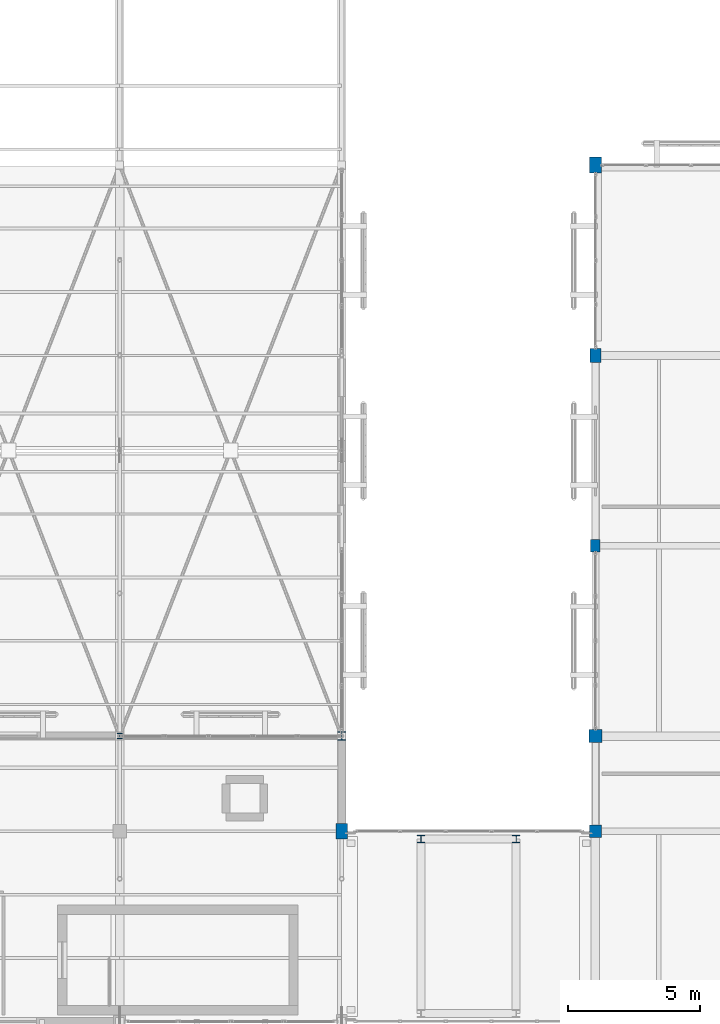
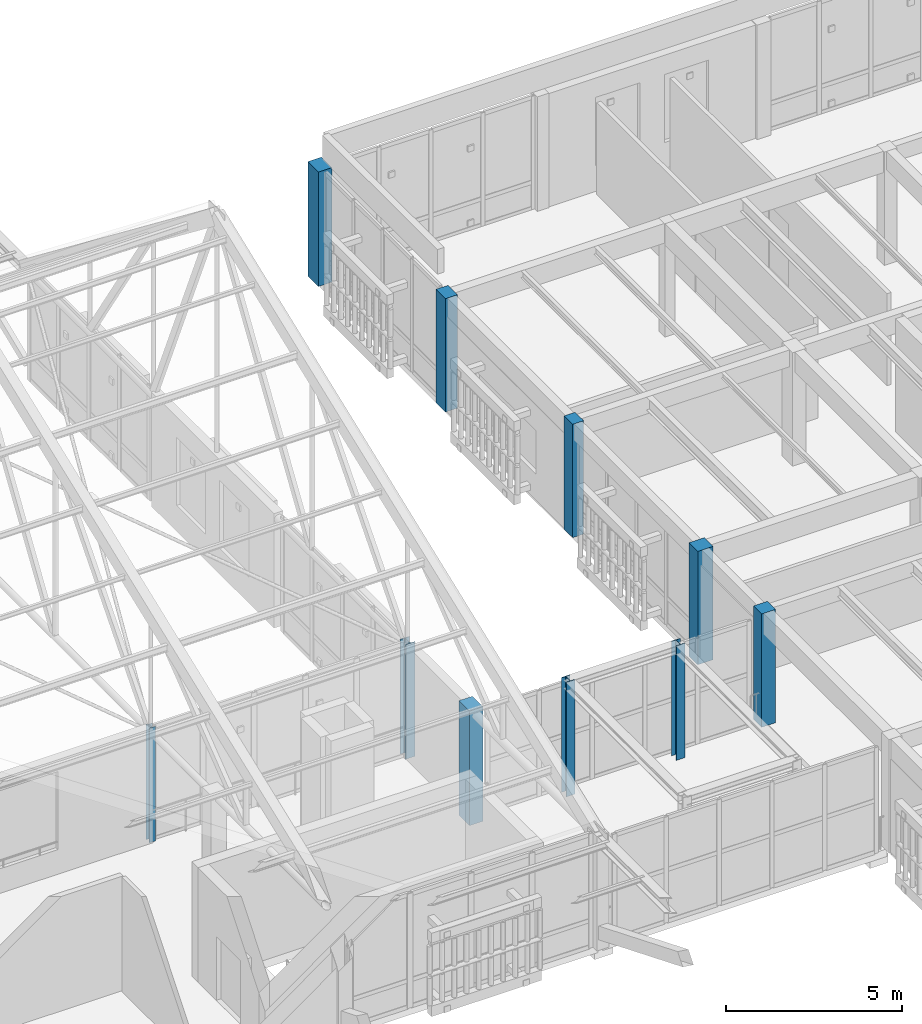
# One storey, part 13 of 217: 10 columns.
"""IFC4 building model written with IfcOpenShell, lengths in metres."""

from ifc_helpers import new_model, si_unit, direction, frame, origin, origin_2d, place, context, subcontext, project, spatial, rectangle, i_section, extrude, material, material_profile, profile_set, type_object, element, save


model = new_model("IFC4")

# Units and contexts
model_context = context("Model", 3, precision=1e-05, world=origin(), true_north=direction((0.0, 1.0)))
body_context = subcontext(model_context, "Body", "Model", "MODEL_VIEW")
ifc_project = project(units=[si_unit("LENGTHUNIT", "METRE"), si_unit("AREAUNIT", "SQUARE_METRE"), si_unit("VOLUMEUNIT", "CUBIC_METRE"), si_unit("PLANEANGLEUNIT", "RADIAN"), si_unit("MASSUNIT", "GRAM", prefix="KILO")], contexts=[model_context])

# Site, building, storey
site_placement = place(None, origin())
site = spatial("IfcSite", under=ifc_project, at=site_placement, CompositionType="ELEMENT")
building_placement = place(site_placement, origin())
building = spatial("IfcBuilding", under=site, at=building_placement, Name="Mazaris Harbour Polytechnic", CompositionType="ELEMENT")
storey_placement = place(building_placement, frame((0.0, 0.0, 9.60009765625)))
storey = spatial("IfcBuildingStorey", under=building, at=storey_placement, Name="L02", CompositionType="ELEMENT", Elevation=9.60009765625)

# Columns
ifc_material_1 = material(Name="Glulam GL28h", Category="wood")
ifc_material_profile_1 = material_profile(ifc_material_1, rectangle(XDim=0.360107421875, YDim=0.47998046875, at=origin_2d()), Name="RECT360x480")
ifc_profile_set_1 = profile_set([ifc_material_profile_1], Name="Glulam GL28h")
column_type_1 = type_object("IfcColumnType", Name="Glulam Column 360x480 Exterior", PredefinedType="COLUMN", material=ifc_profile_set_1)
column_1_placement = place(storey_placement, frame((122.39990234375, 93.60009765625, 0.0), z_axis=(0.0, 0.0, 1.0), x_axis=(1.0, 0.0, 0.0)))
element("IfcColumn", 1, at=column_1_placement, inside=storey, type_object=column_type_1, Name="V5 L02 Column 1333", PredefinedType="COLUMN", context=body_context, shape_type="SweptSolid", body=[
    extrude(rectangle(XDim=0.360107421875, YDim=0.47998046875, at=origin_2d()), origin(), (0.0, 0.0, 1.0), 3.919921875),
])
ifc_material_2 = material(Name="Glulam GL28h", Category="wood")
ifc_material_profile_2 = material_profile(ifc_material_2, rectangle(XDim=0.39990234375, YDim=0.5400390625, at=origin_2d()), Name="RECT400x540")
ifc_profile_set_2 = profile_set([ifc_material_profile_2], Name="Glulam GL28h")
column_type_2 = type_object("IfcColumnType", Name="Glulam Column 400x540 Exterior", PredefinedType="COLUMN", material=ifc_profile_set_2)
column_2_placement = place(storey_placement, frame((122.39990234375, 100.800048828125, 0.0), z_axis=(0.0, 0.0, 1.0), x_axis=(1.0, 0.0, 0.0)))
element("IfcColumn", 2, at=column_2_placement, inside=storey, type_object=column_type_2, Name="V5 L02 Column 1334", PredefinedType="COLUMN", context=body_context, shape_type="SweptSolid", body=[
    extrude(rectangle(XDim=0.39990234375, YDim=0.5400390625, at=origin_2d()), origin(), (0.0, 0.0, 1.0), 3.919921875),
])
ifc_material_3 = material(Name="Glulam GL28h", Category="wood")
ifc_material_profile_3 = material_profile(ifc_material_3, rectangle(XDim=0.43994140625, YDim=0.60009765625, at=origin_2d()), Name="RECT440x600")
ifc_profile_set_3 = profile_set([ifc_material_profile_3], Name="Glulam GL28h")
column_type_3 = type_object("IfcColumnType", Name="Glulam Column 440x600 Exterior", PredefinedType="COLUMN", material=ifc_profile_set_3)
for number, where, z_axis, x_axis, name in (
    (3, (112.800048828125, 82.800048828125, 0.0), (0.0, 0.0, 1.0), (1.0, 0.0, 0.0), "V1 L02 Column 175"),
    (4, (122.39990234375, 108.0, 0.0), (0.0, 0.0, 1.0), (1.0, 0.0, 0.0), "V5 L02 Column 1335"),
):
    element("IfcColumn", number, at=place(storey_placement, frame(where, z_axis=z_axis, x_axis=x_axis)), inside=storey, type_object=column_type_3, Name=name, PredefinedType="COLUMN", context=body_context, shape_type="SweptSolid", body=[
        extrude(rectangle(XDim=0.43994140625, YDim=0.60009765625, at=origin_2d()), origin(), (0.0, 0.0, 1.0), 3.9599609375),
    ])
ifc_material_4 = material(Name="Glulam GL28h", Category="wood")
ifc_material_profile_4 = material_profile(ifc_material_4, rectangle(XDim=0.4599609375, YDim=0.4599609375, at=origin_2d()), Name="RECT460x460")
ifc_profile_set_4 = profile_set([ifc_material_profile_4], Name="Glulam GL28h")
column_type_4 = type_object("IfcColumnType", Name="Glulam Column 460x460 Exterior", PredefinedType="COLUMN", material=ifc_profile_set_4)
column_3_placement = place(storey_placement, frame((122.39990234375, 82.800048828125, 0.0), z_axis=(0.0, 0.0, 1.0), x_axis=(1.0, 0.0, 0.0)))
element("IfcColumn", 5, at=column_3_placement, inside=storey, type_object=column_type_4, Name="V5 L02 Column 1331", PredefinedType="COLUMN", context=body_context, shape_type="SweptSolid", body=[
    extrude(rectangle(XDim=0.4599609375, YDim=0.4599609375, at=origin_2d()), origin(), (0.0, 0.0, 1.0), 3.919921875),
])
ifc_material_5 = material(Name="Glulam GL28h", Category="wood")
ifc_material_profile_5 = material_profile(ifc_material_5, rectangle(XDim=0.5, YDim=0.5, at=origin_2d()), Name="RECT500x500")
ifc_profile_set_5 = profile_set([ifc_material_profile_5], Name="Glulam GL28h")
column_type_5 = type_object("IfcColumnType", Name="Glulam Column 500x500 Exterior", PredefinedType="COLUMN", material=ifc_profile_set_5)
column_4_placement = place(storey_placement, frame((122.39990234375, 86.39990234375, 0.0), z_axis=(0.0, 0.0, 1.0), x_axis=(1.0, 0.0, 0.0)))
element("IfcColumn", 6, at=column_4_placement, inside=storey, type_object=column_type_5, Name="V5 L02 Column 1332", PredefinedType="COLUMN", context=body_context, shape_type="SweptSolid", body=[
    extrude(rectangle(XDim=0.5, YDim=0.5, at=origin_2d()), origin(), (0.0, 0.0, 1.0), 3.919921875),
])
ifc_material_6 = material(Name="Steel S355", Category="steel")
ifc_material_profile_6 = material_profile(ifc_material_6, i_section(OverallWidth=0.199951171875, OverallDepth=0.199951171875, WebThickness=0.009033203125, FlangeThickness=0.014892578125, FilletRadius=0.01806640625, at=origin_2d()), Name="HEB 200")
ifc_profile_set_6 = profile_set([ifc_material_profile_6], Name="Steel S355")
column_type_6 = type_object("IfcColumnType", Name="Steel Column HEB200 Exterior", PredefinedType="COLUMN", material=ifc_profile_set_6)
column_5_placement = place(storey_placement, frame((104.39990234375, 86.39990234375, 0.0), z_axis=(0.0, 0.0, 1.0), x_axis=(1.0, 0.0, 0.0)))
element("IfcColumn", 7, at=column_5_placement, inside=storey, type_object=column_type_6, Name="V1 L02 Column 173", PredefinedType="COLUMN", context=body_context, shape_type="SweptSolid", body=[
    extrude(i_section(OverallWidth=0.199951171875, OverallDepth=0.199951171875, WebThickness=0.009033203125, FlangeThickness=0.014892578125, FilletRadius=0.01806640625, at=origin_2d()), origin(), (0.0, 0.0, 1.0), 3.9599609375),
])
ifc_material_7 = material(Name="Steel S355", Category="steel")
ifc_material_profile_7 = material_profile(ifc_material_7, i_section(OverallWidth=0.280029296875, OverallDepth=0.280029296875, WebThickness=0.010498046875, FlangeThickness=0.01806640625, FilletRadius=0.02392578125, at=origin_2d()), Name="HEB 280")
ifc_profile_set_7 = profile_set([ifc_material_profile_7], Name="Steel S355")
column_type_7 = type_object("IfcColumnType", Name="Steel Column HEB280 Exterior", PredefinedType="COLUMN", material=ifc_profile_set_7)
for number, where, z_axis, x_axis, name in (
    (8, (115.800048828125, 82.5, 0.0), (0.0, 0.0, 1.0), (1.0, 0.0, 0.0), "PB-E2 L02 Bridge Column 1578"),
    (9, (119.39990234375, 82.5, 0.0), (0.0, 0.0, 1.0), (1.0, 0.0, 0.0), "PB-E2 L02 Bridge Column 1579"),
):
    element("IfcColumn", number, at=place(storey_placement, frame(where, z_axis=z_axis, x_axis=x_axis)), inside=storey, type_object=column_type_7, Name=name, PredefinedType="COLUMN", context=body_context, shape_type="SweptSolid", body=[
        extrude(i_section(OverallWidth=0.280029296875, OverallDepth=0.280029296875, WebThickness=0.010498046875, FlangeThickness=0.01806640625, FilletRadius=0.02392578125, at=origin_2d()), origin(), (0.0, 0.0, 1.0), 3.9599609375),
    ])
ifc_material_8 = material(Name="Steel S355", Category="steel")
ifc_material_profile_8 = material_profile(ifc_material_8, i_section(OverallWidth=0.300048828125, OverallDepth=0.320068359375, WebThickness=0.011474609375, FlangeThickness=0.0205078125, FilletRadius=0.027099609375, at=origin_2d()), Name="HEB 320")
ifc_profile_set_8 = profile_set([ifc_material_profile_8], Name="Steel S355")
column_type_8 = type_object("IfcColumnType", Name="Steel Column HEB320", PredefinedType="COLUMN", material=ifc_profile_set_8)
column_6_placement = place(storey_placement, frame((112.800048828125, 86.39990234375, 0.0), z_axis=(0.0, 0.0, 1.0), x_axis=(1.0, 0.0, 0.0)))
element("IfcColumn", 10, at=column_6_placement, inside=storey, type_object=column_type_8, Name="V1 L02 Column 176", PredefinedType="COLUMN", context=body_context, shape_type="SweptSolid", body=[
    extrude(i_section(OverallWidth=0.300048828125, OverallDepth=0.320068359375, WebThickness=0.011474609375, FlangeThickness=0.0205078125, FilletRadius=0.027099609375, at=origin_2d()), origin(), (0.0, 0.0, 1.0), 3.9599609375),
])

save(model, "model.ifc")
